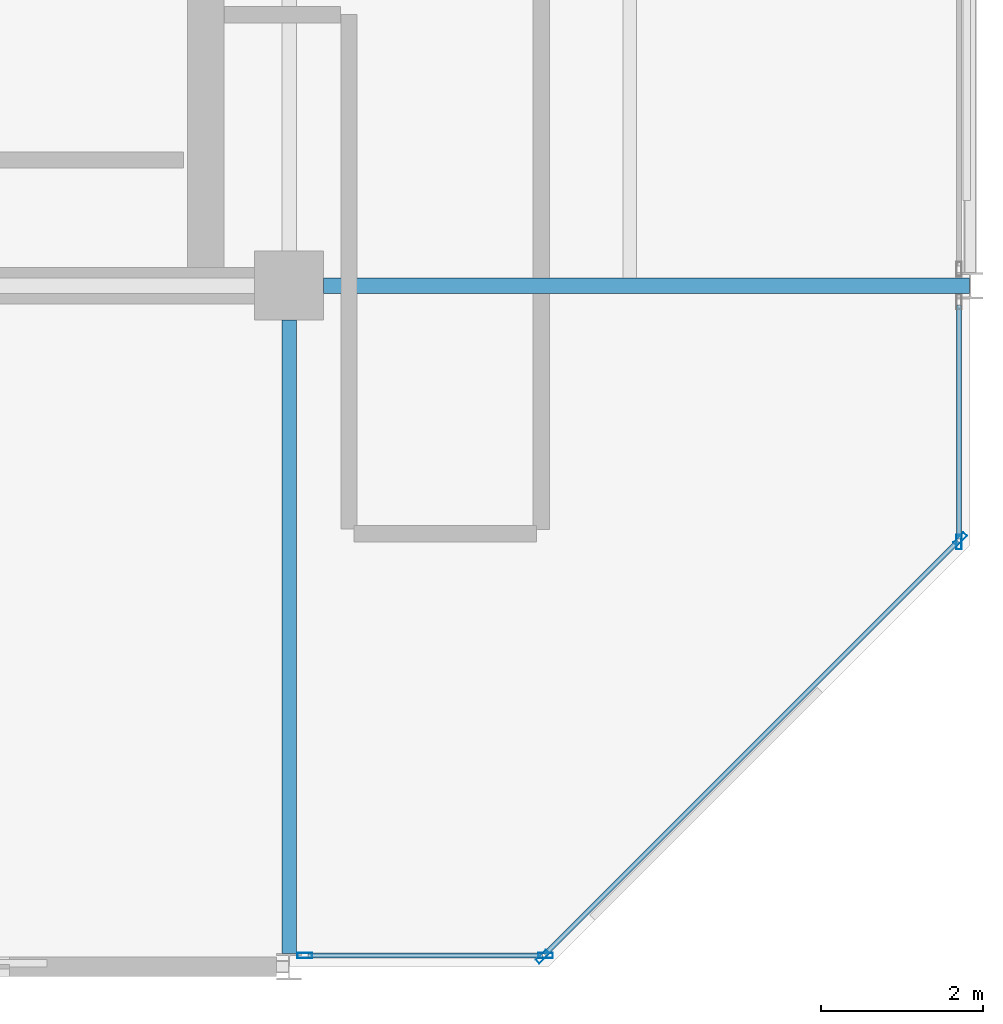
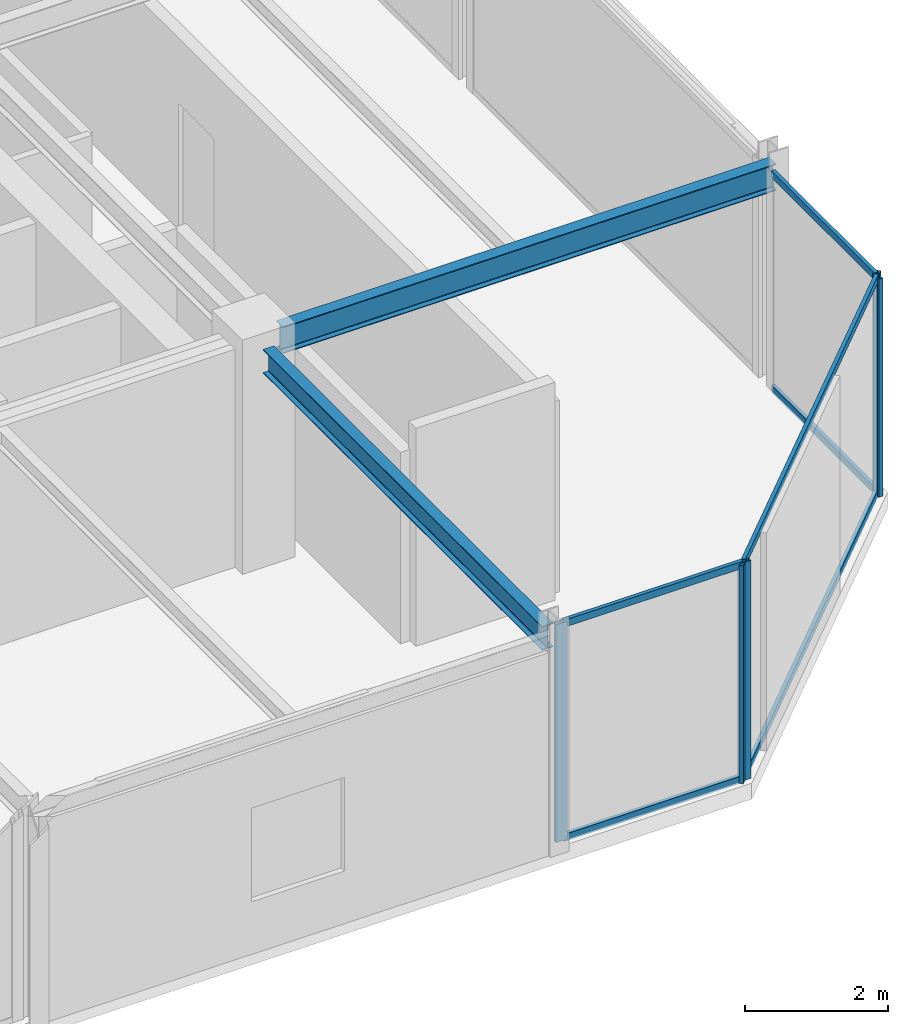
# One storey, part 14 of 26: 11 members, 2 beams, 3 elements without a shape of their own.
"""IFC4 building model written with IfcOpenShell, lengths in metres."""

from ifc_helpers import new_model, si_unit, direction, frame, origin, origin_2d, place, context, subcontext, project, spatial, hollow_rectangle, i_section, extrude, material, layer, layer_set, material_profile, profile_set, type_object, element, aggregate, save


model = new_model("IFC4")

# Units and contexts
model_context = context("Model", 3, precision=1e-05, world=origin(), true_north=direction((0.0, 1.0)))
body_context = subcontext(model_context, "Body", "Model", "MODEL_VIEW")
ifc_project = project(units=[si_unit("LENGTHUNIT", "METRE"), si_unit("AREAUNIT", "SQUARE_METRE"), si_unit("VOLUMEUNIT", "CUBIC_METRE"), si_unit("PLANEANGLEUNIT", "RADIAN"), si_unit("MASSUNIT", "GRAM", prefix="KILO")], contexts=[model_context])

# Site, building, storey
site_placement = place(None, origin())
site = spatial("IfcSite", under=ifc_project, at=site_placement, CompositionType="ELEMENT")
building_placement = place(site_placement, origin())
building = spatial("IfcBuilding", under=site, at=building_placement, Name="Nerrivon Quay Data Exchange", CompositionType="ELEMENT")
storey_placement = place(building_placement, frame((0.0, 0.0, 274.199951171875)))
storey = spatial("IfcBuildingStorey", under=building, at=storey_placement, Name="L65", CompositionType="ELEMENT", Elevation=274.199951171875)

# Beams
ifc_material_1 = material(Name="Steel Grade 350", Category="steel")
ifc_material_profile_1 = material_profile(ifc_material_1, i_section(OverallWidth=0.18994140625, OverallDepth=0.4541015625, WebThickness=0.008544921875, FlangeThickness=0.0126953125, FilletRadius=0.011474609375, at=origin_2d()), Name="460UB67.1")
ifc_profile_set_1 = profile_set([ifc_material_profile_1], Name="Steel Grade 350")
beam_type_1 = type_object("IfcBeamType", Name="BM-G6-460UB67", PredefinedType="BEAM", material=ifc_profile_set_1)
beam_1_placement = place(storey_placement, frame((34.02490234375, 8.39990234375, 3.498046875), z_axis=(1.0, 0.0, 0.0), x_axis=(0.0, 1.0, 0.0)))
element("IfcBeam", 1, at=beam_1_placement, inside=storey, type_object=beam_type_1, Name="L65 EW Girder Y=8.4 (33.6..42.0)", PredefinedType="BEAM", context=body_context, shape_type="SweptSolid", body=[
    extrude(i_section(OverallWidth=0.18994140625, OverallDepth=0.4541015625, WebThickness=0.008544921875, FlangeThickness=0.0126953125, FilletRadius=0.011474609375, at=origin_2d()), origin(), (0.0, 0.0, 1.0), 7.96728515625),
])
ifc_material_profile_2 = material_profile(ifc_material_1, i_section(OverallWidth=0.177978515625, OverallDepth=0.406005859375, WebThickness=0.0078125, FlangeThickness=0.0126953125, FilletRadius=0.011474609375, at=origin_2d()), Name="410UB59.7")
ifc_profile_set_2 = profile_set([ifc_material_profile_2], Name="Steel Grade 350")
beam_type_2 = type_object("IfcBeamType", Name="BM-J1-410UB60", PredefinedType="JOIST", material=ifc_profile_set_2)
beam_2_placement = place(storey_placement, frame((33.60009765625, 0.16357421875, 3.52197265625), z_axis=(0.0, 1.0, 0.0), x_axis=(-1.0, 0.0, 0.0)))
element("IfcBeam", 2, at=beam_2_placement, inside=storey, type_object=beam_type_2, Name="L65 NS Girder X=33.6 (0.0..8.4)", PredefinedType="JOIST", context=body_context, shape_type="SweptSolid", body=[
    extrude(i_section(OverallWidth=0.177978515625, OverallDepth=0.406005859375, WebThickness=0.0078125, FlangeThickness=0.0126953125, FilletRadius=0.011474609375, at=origin_2d()), origin(), (0.0, 0.0, 1.0), 7.8115234375),
])

# Curtain wall, members
ifc_material_2 = material(Name="Anodised aluminium 6063-T6", Category="aluminium")
ifc_layer = layer(ifc_material_2, 0.195068359375)
ifc_layer_set = layer_set([ifc_layer], Name="Anodised aluminium 6063-T6")
curtain_wall_type = type_object("IfcCurtainWallType", Name="CW-SYS-06", PredefinedType="NOTDEFINED", material=ifc_layer_set)
curtain_wall_1_placement = place(storey_placement, origin())
curtain_wall_1 = element("IfcCurtainWall", 3, at=curtain_wall_1_placement, inside=storey, type_object=curtain_wall_type, Name="L65 Unitised Curtain Wall 1", PredefinedType="NOTDEFINED")
ifc_material_profile_3 = material_profile(ifc_material_2, hollow_rectangle(XDim=0.06494140625, YDim=0.179931640625, WallThickness=0.00341796875, at=origin_2d()), Name="ALU-MULL-180x65")
ifc_profile_set_3 = profile_set([ifc_material_profile_3], Name="Anodised aluminium 6063-T6")
member_type_1 = type_object("IfcMemberType", Name="CWM-180x65", PredefinedType="MULLION", material=ifc_profile_set_3)
member_1_placement = place(storey_placement, frame((41.87451171875, 5.2724609375, 0.0), z_axis=(0.0, 0.0, 1.0), x_axis=(0.707106781187, -0.707106781187, 0.0)))
member_1 = element("IfcMember", 4, at=member_1_placement, type_object=member_type_1, Name="CW06 mullion 1", PredefinedType="MULLION", context=body_context, shape_type="SweptSolid", body=[
    extrude(hollow_rectangle(XDim=0.06494140625, YDim=0.179931640625, WallThickness=0.00341796875, at=origin_2d()), origin(), (0.0, 0.0, 1.0), 3.72509765625),
])
member_2_placement = place(storey_placement, frame((36.7275390625, 0.12548828125, 0.0), z_axis=(0.0, 0.0, 1.0), x_axis=(0.707106781187, -0.707106781187, 0.0)))
member_2 = element("IfcMember", 5, at=member_2_placement, type_object=member_type_1, Name="CW06 mullion 2", PredefinedType="MULLION", context=body_context, shape_type="SweptSolid", body=[
    extrude(hollow_rectangle(XDim=0.06494140625, YDim=0.179931640625, WallThickness=0.00341796875, at=origin_2d()), origin(), (0.0, 0.0, 1.0), 3.72509765625),
])

curtain_wall_2_placement = place(storey_placement, origin())
curtain_wall_2 = element("IfcCurtainWall", 6, at=curtain_wall_2_placement, inside=storey, type_object=curtain_wall_type, Name="L65 Unitised Curtain Wall 2", PredefinedType="NOTDEFINED")
member_3_placement = place(storey_placement, frame((36.762451171875, 0.139892578125, 0.0), z_axis=(0.0, 0.0, 1.0), x_axis=(0.0, -1.0, 0.0)))
member_3 = element("IfcMember", 7, at=member_3_placement, type_object=member_type_1, Name="CW06 mullion 1", PredefinedType="MULLION", context=body_context, shape_type="SweptSolid", body=[
    extrude(hollow_rectangle(XDim=0.06494140625, YDim=0.179931640625, WallThickness=0.00341796875, at=origin_2d()), origin(), (0.0, 0.0, 1.0), 3.72509765625),
])
member_4_placement = place(storey_placement, frame((33.79296875, 0.139892578125, 0.0), z_axis=(0.0, 0.0, 1.0), x_axis=(0.0, -1.0, 0.0)))
member_4 = element("IfcMember", 8, at=member_4_placement, type_object=member_type_1, Name="CW06 mullion 2", PredefinedType="MULLION", context=body_context, shape_type="SweptSolid", body=[
    extrude(hollow_rectangle(XDim=0.06494140625, YDim=0.179931640625, WallThickness=0.00341796875, at=origin_2d()), origin(), (0.0, 0.0, 1.0), 3.72509765625),
])

# Curtain wall, member
curtain_wall_3_placement = place(storey_placement, origin())
curtain_wall_3 = element("IfcCurtainWall", 9, at=curtain_wall_3_placement, inside=storey, type_object=curtain_wall_type, Name="L65 Unitised Curtain Wall 28", PredefinedType="NOTDEFINED")
member_5_placement = place(storey_placement, frame((41.860107421875, 5.237548828125, 0.0), z_axis=(0.0, 0.0, 1.0), x_axis=(1.0, 0.0, 0.0)))
member_5 = element("IfcMember", 10, at=member_5_placement, type_object=member_type_1, Name="CW06 mullion 2", PredefinedType="MULLION", context=body_context, shape_type="SweptSolid", body=[
    extrude(hollow_rectangle(XDim=0.06494140625, YDim=0.179931640625, WallThickness=0.00341796875, at=origin_2d()), origin(), (0.0, 0.0, 1.0), 3.72509765625),
])

# Member
ifc_material_profile_4 = material_profile(ifc_material_2, hollow_rectangle(XDim=0.06005859375, YDim=0.1201171875, WallThickness=0.003173828125, at=origin_2d()), Name="ALU-TRAN-120x60")
ifc_profile_set_4 = profile_set([ifc_material_profile_4], Name="Anodised aluminium 6063-T6")
member_type_2 = type_object("IfcMemberType", Name="CWT-120x60", PredefinedType="USERDEFINED", material=ifc_profile_set_4)
member_6_placement = place(storey_placement, frame((41.847900390625, 5.245849609375, 0.032470703125), z_axis=(-0.707106781187, -0.707106781187, 0.0), x_axis=(0.707106781187, -0.707106781187, 0.0)))
member_6 = element("IfcMember", 11, at=member_6_placement, type_object=member_type_2, Name="CW06 transom 1.1", ObjectType="TRANSOM", PredefinedType="USERDEFINED", context=body_context, shape_type="SweptSolid", body=[
    extrude(hollow_rectangle(XDim=0.06005859375, YDim=0.1201171875, WallThickness=0.003173828125, at=origin_2d()), origin(), (0.0, 0.0, 1.0), 7.20361328125),
])

member_7_placement = place(storey_placement, frame((41.847900390625, 5.245849609375, 3.692626953125), z_axis=(-0.707106781187, -0.707106781187, 0.0), x_axis=(0.707106781187, -0.707106781187, 0.0)))
member_7 = element("IfcMember", 12, at=member_7_placement, type_object=member_type_2, Name="CW06 transom 1.2", ObjectType="TRANSOM", PredefinedType="USERDEFINED", context=body_context, shape_type="SweptSolid", body=[
    extrude(hollow_rectangle(XDim=0.06005859375, YDim=0.1201171875, WallThickness=0.003173828125, at=origin_2d()), origin(), (0.0, 0.0, 1.0), 7.20361328125),
])

aggregate(curtain_wall_1, [member_1, member_2, member_6, member_7])

member_8_placement = place(storey_placement, frame((36.72509765625, 0.139892578125, 0.032470703125), z_axis=(-1.0, 0.0, 0.0), x_axis=(0.0, -1.0, 0.0)))
member_8 = element("IfcMember", 13, at=member_8_placement, type_object=member_type_2, Name="CW06 transom 1.1", ObjectType="TRANSOM", PredefinedType="USERDEFINED", context=body_context, shape_type="SweptSolid", body=[
    extrude(hollow_rectangle(XDim=0.06005859375, YDim=0.1201171875, WallThickness=0.003173828125, at=origin_2d()), origin(), (0.0, 0.0, 1.0), 2.89453125),
])

member_9_placement = place(storey_placement, frame((36.72509765625, 0.139892578125, 3.692626953125), z_axis=(-1.0, 0.0, 0.0), x_axis=(0.0, -1.0, 0.0)))
member_9 = element("IfcMember", 14, at=member_9_placement, type_object=member_type_2, Name="CW06 transom 1.2", ObjectType="TRANSOM", PredefinedType="USERDEFINED", context=body_context, shape_type="SweptSolid", body=[
    extrude(hollow_rectangle(XDim=0.06005859375, YDim=0.1201171875, WallThickness=0.003173828125, at=origin_2d()), origin(), (0.0, 0.0, 1.0), 2.89453125),
])

aggregate(curtain_wall_2, [member_3, member_4, member_8, member_9])

member_10_placement = place(storey_placement, frame((41.860107421875, 8.16162109375, 0.032470703125), z_axis=(0.0, -1.0, 0.0), x_axis=(1.0, 0.0, 0.0)))
member_10 = element("IfcMember", 15, at=member_10_placement, type_object=member_type_2, Name="CW06 transom 1.1", ObjectType="TRANSOM", PredefinedType="USERDEFINED", context=body_context, shape_type="SweptSolid", body=[
    extrude(hollow_rectangle(XDim=0.06005859375, YDim=0.1201171875, WallThickness=0.003173828125, at=origin_2d()), origin(), (0.0, 0.0, 1.0), 2.88671875),
])

member_11_placement = place(storey_placement, frame((41.860107421875, 8.16162109375, 3.692626953125), z_axis=(0.0, -1.0, 0.0), x_axis=(1.0, 0.0, 0.0)))
member_11 = element("IfcMember", 16, at=member_11_placement, type_object=member_type_2, Name="CW06 transom 1.2", ObjectType="TRANSOM", PredefinedType="USERDEFINED", context=body_context, shape_type="SweptSolid", body=[
    extrude(hollow_rectangle(XDim=0.06005859375, YDim=0.1201171875, WallThickness=0.003173828125, at=origin_2d()), origin(), (0.0, 0.0, 1.0), 2.88671875),
])

aggregate(curtain_wall_3, [member_5, member_10, member_11])

save(model, "model.ifc")
